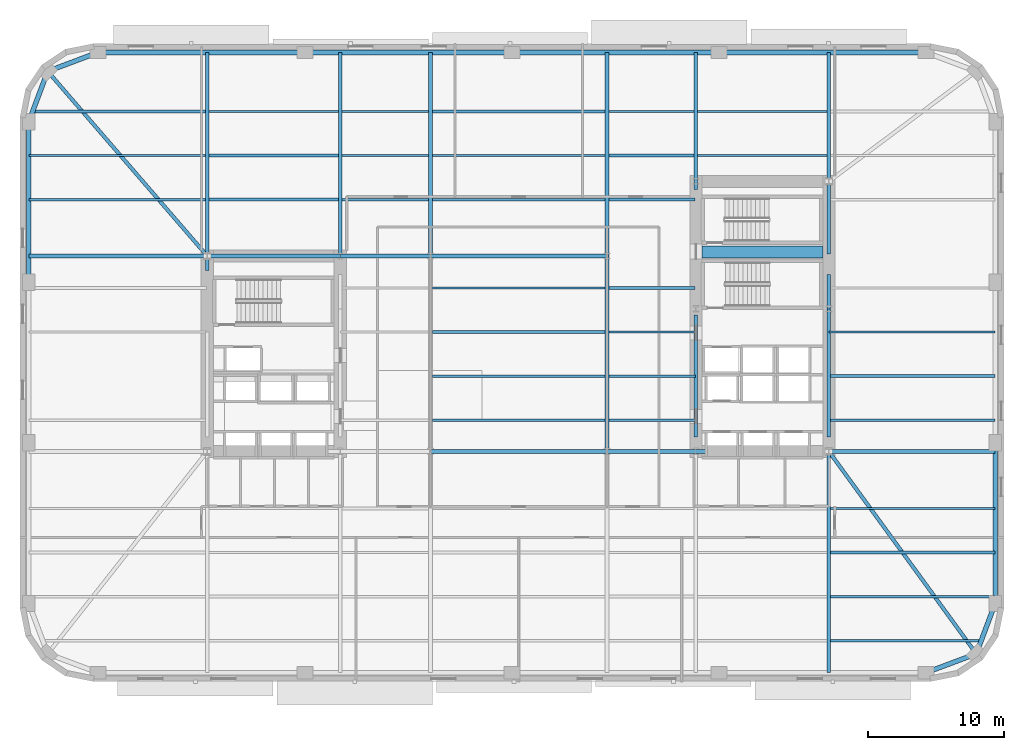
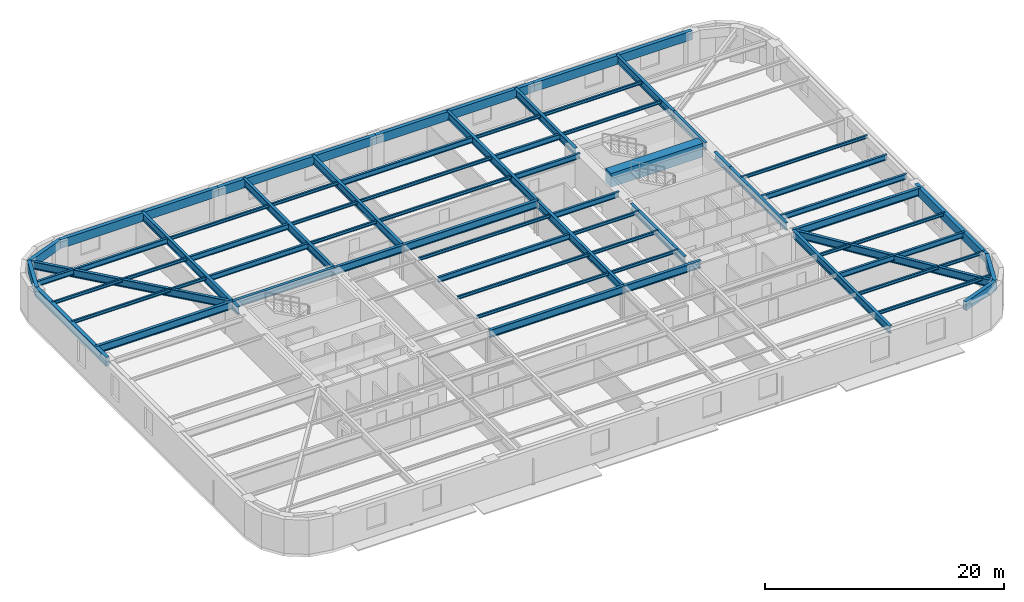
# One storey, part 2 of 15: 64 beams.
"""IFC4 building model written with IfcOpenShell, lengths in metres."""

from ifc_helpers import new_model, si_unit, direction, frame, origin, origin_2d, place, context, subcontext, project, spatial, rectangle, hollow_rectangle, i_section, extrude, material, material_profile, profile_set, type_object, element, save


model = new_model("IFC4")

# Units and contexts
model_context = context("Model", 3, precision=1e-05, world=origin(), true_north=direction((0.0, 1.0)))
body_context = subcontext(model_context, "Body", "Model", "MODEL_VIEW")
ifc_project = project(units=[si_unit("LENGTHUNIT", "METRE"), si_unit("AREAUNIT", "SQUARE_METRE"), si_unit("VOLUMEUNIT", "CUBIC_METRE"), si_unit("PLANEANGLEUNIT", "RADIAN"), si_unit("MASSUNIT", "GRAM", prefix="KILO")], contexts=[model_context])

# Site, building, storey
site_placement = place(None, origin())
site = spatial("IfcSite", under=ifc_project, at=site_placement, CompositionType="ELEMENT")
building_placement = place(site_placement, origin())
building = spatial("IfcBuilding", under=site, at=building_placement, Name="Kolvaren Arena Tower", CompositionType="ELEMENT")
storey_placement = place(building_placement, frame((0.0, 0.0, 64.5)))
storey = spatial("IfcBuildingStorey", under=building, at=storey_placement, Name="L13", CompositionType="ELEMENT", Elevation=64.5)

# Beams
ifc_material_1 = material(Name="Steel CSA G40.21 350W", Category="steel")
ifc_material_profile_1 = material_profile(ifc_material_1, i_section(OverallWidth=0.2119140625, OverallDepth=0.54296875, WebThickness=0.01318359375, FlangeThickness=0.0244140625, FilletRadius=0.013916015625, at=origin_2d()), Name="W530x150")
ifc_profile_set_1 = profile_set([ifc_material_profile_1], Name="Steel CSA G40.21 350W")
beam_type_1 = type_object("IfcBeamType", Name="BEAM-F1", PredefinedType="BEAM", material=ifc_profile_set_1)
beam_1_placement = place(storey_placement, frame((60.485107421875, 12.0, 3.20849609375), z_axis=(1.0, 0.0, 0.0), x_axis=(0.0, 1.0, 0.0)))
element("IfcBeam", 1, at=beam_1_placement, inside=storey, type_object=beam_type_1, Name="Composite Floor Beam (L13)", PredefinedType="BEAM", context=body_context, shape_type="SweptSolid", body=[
    extrude(i_section(OverallWidth=0.2119140625, OverallDepth=0.54296875, WebThickness=0.01318359375, FlangeThickness=0.0244140625, FilletRadius=0.013916015625, at=origin_2d()), origin(), (0.0, 0.0, 1.0), 12.114990234375),
])
for number, where, z_axis, x_axis, name in (
    (2, (60.3701171875, 21.75, 3.20849609375), (1.0, 0.0, 0.0), (0.0, 1.0, 0.0), "Composite Floor Beam (L13)"),
    (3, (60.3701171875, 25.0, 3.20849609375), (1.0, 0.0, 0.0), (0.0, 1.0, 0.0), "Composite Floor Beam (L13)"),
):
    element("IfcBeam", number, at=place(storey_placement, frame(where, z_axis=z_axis, x_axis=x_axis)), inside=storey, type_object=beam_type_1, Name=name, PredefinedType="BEAM", context=body_context, shape_type="SweptSolid", body=[
        extrude(i_section(OverallWidth=0.2119140625, OverallDepth=0.54296875, WebThickness=0.01318359375, FlangeThickness=0.0244140625, FilletRadius=0.013916015625, at=origin_2d()), origin(), (0.0, 0.0, 1.0), 12.22998046875),
    ])
beam_2_placement = place(storey_placement, frame((31.135009765625, 28.25, 3.20849609375), z_axis=(1.0, 0.0, 0.0), x_axis=(0.0, 1.0, 0.0)))
element("IfcBeam", 4, at=beam_2_placement, inside=storey, type_object=beam_type_1, Name="Composite Floor Beam (L13)", PredefinedType="BEAM", context=body_context, shape_type="SweptSolid", body=[
    extrude(i_section(OverallWidth=0.2119140625, OverallDepth=0.54296875, WebThickness=0.01318359375, FlangeThickness=0.0244140625, FilletRadius=0.013916015625, at=origin_2d()), origin(), (0.0, 0.0, 1.0), 12.72998046875),
])
beam_3_placement = place(storey_placement, frame((44.135009765625, 31.5, 3.20849609375), z_axis=(1.0, 0.0, 0.0), x_axis=(0.0, 1.0, 0.0)))
element("IfcBeam", 5, at=beam_3_placement, inside=storey, type_object=beam_type_1, Name="Composite Floor Beam (L13)", PredefinedType="BEAM", context=body_context, shape_type="SweptSolid", body=[
    extrude(i_section(OverallWidth=0.2119140625, OverallDepth=0.54296875, WebThickness=0.01318359375, FlangeThickness=0.0244140625, FilletRadius=0.013916015625, at=origin_2d()), origin(), (0.0, 0.0, 1.0), 6.344970703125),
])
beam_4_placement = place(storey_placement, frame((14.68505859375, 38.0, 3.20849609375), z_axis=(1.0, 0.0, 0.0), x_axis=(0.0, 1.0, 0.0)))
element("IfcBeam", 6, at=beam_4_placement, inside=storey, type_object=beam_type_1, Name="Composite Floor Beam (L13)", PredefinedType="BEAM", context=body_context, shape_type="SweptSolid", body=[
    extrude(i_section(OverallWidth=0.2119140625, OverallDepth=0.54296875, WebThickness=0.01318359375, FlangeThickness=0.0244140625, FilletRadius=0.013916015625, at=origin_2d()), origin(), (0.0, 0.0, 1.0), 9.530029296875),
])
beam_5_placement = place(storey_placement, frame((44.135009765625, 38.0, 3.20849609375), z_axis=(1.0, 0.0, 0.0), x_axis=(0.0, 1.0, 0.0)))
element("IfcBeam", 7, at=beam_5_placement, inside=storey, type_object=beam_type_1, Name="Composite Floor Beam (L13)", PredefinedType="BEAM", context=body_context, shape_type="SweptSolid", body=[
    extrude(i_section(OverallWidth=0.2119140625, OverallDepth=0.54296875, WebThickness=0.01318359375, FlangeThickness=0.0244140625, FilletRadius=0.013916015625, at=origin_2d()), origin(), (0.0, 0.0, 1.0), 6.344970703125),
])
beam_6_placement = place(storey_placement, frame((14.68505859375, 41.25, 3.20849609375), z_axis=(1.0, 0.0, 0.0), x_axis=(0.0, 1.0, 0.0)))
element("IfcBeam", 8, at=beam_6_placement, inside=storey, type_object=beam_type_1, Name="Composite Floor Beam (L13)", PredefinedType="BEAM", context=body_context, shape_type="SweptSolid", body=[
    extrude(i_section(OverallWidth=0.2119140625, OverallDepth=0.54296875, WebThickness=0.01318359375, FlangeThickness=0.0244140625, FilletRadius=0.013916015625, at=origin_2d()), origin(), (0.0, 0.0, 1.0), 9.530029296875),
])
beam_7_placement = place(storey_placement, frame((44.135009765625, 41.25, 3.20849609375), z_axis=(1.0, 0.0, 0.0), x_axis=(0.0, 1.0, 0.0)))
element("IfcBeam", 9, at=beam_7_placement, inside=storey, type_object=beam_type_1, Name="Composite Floor Beam (L13)", PredefinedType="BEAM", context=body_context, shape_type="SweptSolid", body=[
    extrude(i_section(OverallWidth=0.2119140625, OverallDepth=0.54296875, WebThickness=0.01318359375, FlangeThickness=0.0244140625, FilletRadius=0.013916015625, at=origin_2d()), origin(), (0.0, 0.0, 1.0), 6.280029296875),
])
beam_8_placement = place(storey_placement, frame((1.681396484375, 44.5, 3.20849609375), z_axis=(1.0, 0.0, 0.0), x_axis=(0.0, 1.0, 0.0)))
element("IfcBeam", 10, at=beam_8_placement, inside=storey, type_object=beam_type_1, Name="Composite Floor Beam (L13)", PredefinedType="BEAM", context=body_context, shape_type="SweptSolid", body=[
    extrude(i_section(OverallWidth=0.2119140625, OverallDepth=0.54296875, WebThickness=0.01318359375, FlangeThickness=0.0244140625, FilletRadius=0.013916015625, at=origin_2d()), origin(), (0.0, 0.0, 1.0), 12.733642578125),
])
beam_9_placement = place(storey_placement, frame((31.135009765625, 44.5, 3.20849609375), z_axis=(1.0, 0.0, 0.0), x_axis=(0.0, 1.0, 0.0)))
element("IfcBeam", 11, at=beam_9_placement, inside=storey, type_object=beam_type_1, Name="Composite Floor Beam (L13)", PredefinedType="BEAM", context=body_context, shape_type="SweptSolid", body=[
    extrude(i_section(OverallWidth=0.2119140625, OverallDepth=0.54296875, WebThickness=0.01318359375, FlangeThickness=0.0244140625, FilletRadius=0.013916015625, at=origin_2d()), origin(), (0.0, 0.0, 1.0), 12.72998046875),
])
ifc_material_2 = material(Name="Concrete 75 MPa", Category="concrete")
ifc_material_profile_2 = material_profile(ifc_material_2, rectangle(XDim=0.89990234375, YDim=1.39990234375, at=origin_2d()), Name="RC-900x1400")
ifc_profile_set_2 = profile_set([ifc_material_profile_2], Name="Concrete 75 MPa")
beam_type_2 = type_object("IfcBeamType", Name="CB-CORE-1", PredefinedType="BEAM", material=ifc_profile_set_2)
beam_10_placement = place(storey_placement, frame((51.0, 34.14990234375, 3.050048828125), z_axis=(1.0, 0.0, 0.0), x_axis=(0.0, 1.0, 0.0)))
element("IfcBeam", 12, at=beam_10_placement, inside=storey, type_object=beam_type_2, Name="East Core Coupling Beam (L13)", PredefinedType="BEAM", context=body_context, shape_type="SweptSolid", body=[
    extrude(rectangle(XDim=0.89990234375, YDim=1.39990234375, at=origin_2d()), origin(), (0.0, 0.0, 1.0), 8.89990234375),
])
ifc_material_profile_3 = material_profile(ifc_material_1, i_section(OverallWidth=0.27001953125, OverallDepth=0.77294921875, WebThickness=0.019287109375, FlangeThickness=0.033447265625, FilletRadius=0.01806640625, at=origin_2d()), Name="W760x257")
ifc_profile_set_3 = profile_set([ifc_material_profile_3], Name="Steel CSA G40.21 350W")
beam_type_3 = type_object("IfcBeamType", Name="GIRD-T1", PredefinedType="BEAM", material=ifc_profile_set_3)
beam_11_placement = place(storey_placement, frame((71.208740234375, 4.541259765625, 3.093505859375), z_axis=(-0.588737448901, 0.80832432616, 0.0), x_axis=(-0.80832432616, -0.588737448901, 0.0)))
element("IfcBeam", 13, at=beam_11_placement, inside=storey, type_object=beam_type_3, Name="Corner Diagonal Tie Girder (L13)", PredefinedType="BEAM", context=body_context, shape_type="SweptSolid", body=[
    extrude(i_section(OverallWidth=0.27001953125, OverallDepth=0.77294921875, WebThickness=0.019287109375, FlangeThickness=0.033447265625, FilletRadius=0.01806640625, at=origin_2d()), origin(), (0.0, 0.0, 1.0), 18.44384765625),
])
beam_12_placement = place(storey_placement, frame((2.791259765625, 47.458740234375, 3.093505859375), z_axis=(0.653806810332, -0.756661519283, 0.0), x_axis=(0.756661519283, 0.653806810332, 0.0)))
element("IfcBeam", 14, at=beam_12_placement, inside=storey, type_object=beam_type_3, Name="Corner Diagonal Tie Girder (L13)", PredefinedType="BEAM", context=body_context, shape_type="SweptSolid", body=[
    extrude(i_section(OverallWidth=0.27001953125, OverallDepth=0.77294921875, WebThickness=0.019287109375, FlangeThickness=0.033447265625, FilletRadius=0.01806640625, at=origin_2d()), origin(), (0.0, 0.0, 1.0), 17.985107421875),
])
beam_13_placement = place(storey_placement, frame((31.0, 19.449951171875, 3.093505859375), z_axis=(1.0, 0.0, 0.0), x_axis=(0.0, 1.0, 0.0)))
element("IfcBeam", 15, at=beam_13_placement, inside=storey, type_object=beam_type_3, Name="Primary Floor Girder (L13)", PredefinedType="BEAM", context=body_context, shape_type="SweptSolid", body=[
    extrude(i_section(OverallWidth=0.27001953125, OverallDepth=0.77294921875, WebThickness=0.019287109375, FlangeThickness=0.033447265625, FilletRadius=0.01806640625, at=origin_2d()), origin(), (0.0, 0.0, 1.0), 13.0),
])
beam_14_placement = place(storey_placement, frame((44.0, 19.449951171875, 3.093505859375), z_axis=(1.0, 0.0, 0.0), x_axis=(0.0, 1.0, 0.0)))
element("IfcBeam", 16, at=beam_14_placement, inside=storey, type_object=beam_type_3, Name="Primary Floor Girder (L13)", PredefinedType="BEAM", context=body_context, shape_type="SweptSolid", body=[
    extrude(i_section(OverallWidth=0.27001953125, OverallDepth=0.77294921875, WebThickness=0.019287109375, FlangeThickness=0.033447265625, FilletRadius=0.01806640625, at=origin_2d()), origin(), (0.0, 0.0, 1.0), 7.4150390625),
])
beam_15_placement = place(storey_placement, frame((60.35009765625, 19.449951171875, 3.093505859375), z_axis=(1.0, 0.0, 0.0), x_axis=(0.0, 1.0, 0.0)))
element("IfcBeam", 17, at=beam_15_placement, inside=storey, type_object=beam_type_3, Name="Primary Floor Girder (L13)", PredefinedType="BEAM", context=body_context, shape_type="SweptSolid", body=[
    extrude(i_section(OverallWidth=0.27001953125, OverallDepth=0.77294921875, WebThickness=0.019287109375, FlangeThickness=0.033447265625, FilletRadius=0.01806640625, at=origin_2d()), origin(), (0.0, 0.0, 1.0), 12.25),
])
beam_16_placement = place(storey_placement, frame((1.39990234375, 33.85009765625, 3.093505859375), z_axis=(1.0, 0.0, 0.0), x_axis=(0.0, 1.0, 0.0)))
element("IfcBeam", 18, at=beam_16_placement, inside=storey, type_object=beam_type_3, Name="Primary Floor Girder (L13)", PredefinedType="BEAM", context=body_context, shape_type="SweptSolid", body=[
    extrude(i_section(OverallWidth=0.27001953125, OverallDepth=0.77294921875, WebThickness=0.019287109375, FlangeThickness=0.033447265625, FilletRadius=0.01806640625, at=origin_2d()), origin(), (0.0, 0.0, 1.0), 13.150146484375),
])
beam_17_placement = place(storey_placement, frame((14.550048828125, 33.85009765625, 3.093505859375), z_axis=(1.0, 0.0, 0.0), x_axis=(0.0, 1.0, 0.0)))
element("IfcBeam", 19, at=beam_17_placement, inside=storey, type_object=beam_type_3, Name="Primary Floor Girder (L13)", PredefinedType="BEAM", context=body_context, shape_type="SweptSolid", body=[
    extrude(i_section(OverallWidth=0.27001953125, OverallDepth=0.77294921875, WebThickness=0.019287109375, FlangeThickness=0.033447265625, FilletRadius=0.01806640625, at=origin_2d()), origin(), (0.0, 0.0, 1.0), 9.800048828125),
])
beam_18_placement = place(storey_placement, frame((24.35009765625, 33.85009765625, 3.093505859375), z_axis=(1.0, 0.0, 0.0), x_axis=(0.0, 1.0, 0.0)))
element("IfcBeam", 20, at=beam_18_placement, inside=storey, type_object=beam_type_3, Name="Primary Floor Girder (L13)", PredefinedType="BEAM", context=body_context, shape_type="SweptSolid", body=[
    extrude(i_section(OverallWidth=0.27001953125, OverallDepth=0.77294921875, WebThickness=0.019287109375, FlangeThickness=0.033447265625, FilletRadius=0.01806640625, at=origin_2d()), origin(), (0.0, 0.0, 1.0), 6.64990234375),
])
beam_19_placement = place(storey_placement, frame((31.0, 33.85009765625, 3.093505859375), z_axis=(1.0, 0.0, 0.0), x_axis=(0.0, 1.0, 0.0)))
element("IfcBeam", 21, at=beam_19_placement, inside=storey, type_object=beam_type_3, Name="Primary Floor Girder (L13)", PredefinedType="BEAM", context=body_context, shape_type="SweptSolid", body=[
    extrude(i_section(OverallWidth=0.27001953125, OverallDepth=0.77294921875, WebThickness=0.019287109375, FlangeThickness=0.033447265625, FilletRadius=0.01806640625, at=origin_2d()), origin(), (0.0, 0.0, 1.0), 13.0),
])
beam_20_placement = place(storey_placement, frame((14.550048828125, 32.7900390625, 3.093505859375), z_axis=(0.0, 1.0, 0.0), x_axis=(-1.0, 0.0, 0.0)))
element("IfcBeam", 22, at=beam_20_placement, inside=storey, type_object=beam_type_3, Name="Primary Floor Girder (L13)", PredefinedType="BEAM", context=body_context, shape_type="SweptSolid", body=[
    extrude(i_section(OverallWidth=0.27001953125, OverallDepth=0.77294921875, WebThickness=0.019287109375, FlangeThickness=0.033447265625, FilletRadius=0.01806640625, at=origin_2d()), origin(), (0.0, 0.0, 1.0), 16.06005859375),
])
for number, where, z_axis, x_axis, name in (
    (23, (24.35009765625, 33.85009765625, 3.093505859375), (0.0, 1.0, 0.0), (-1.0, 0.0, 0.0), "Primary Floor Girder (L13)"),
    (24, (31.0, 33.85009765625, 3.093505859375), (0.0, 1.0, 0.0), (-1.0, 0.0, 0.0), "Primary Floor Girder (L13)"),
):
    element("IfcBeam", number, at=place(storey_placement, frame(where, z_axis=z_axis, x_axis=x_axis)), inside=storey, type_object=beam_type_3, Name=name, PredefinedType="BEAM", context=body_context, shape_type="SweptSolid", body=[
        extrude(i_section(OverallWidth=0.27001953125, OverallDepth=0.77294921875, WebThickness=0.019287109375, FlangeThickness=0.033447265625, FilletRadius=0.01806640625, at=origin_2d()), origin(), (0.0, 0.0, 1.0), 15.0),
    ])
beam_21_placement = place(storey_placement, frame((44.0, 19.449951171875, 3.093505859375), z_axis=(0.0, 1.0, 0.0), x_axis=(-1.0, 0.0, 0.0)))
element("IfcBeam", 25, at=beam_21_placement, inside=storey, type_object=beam_type_3, Name="Primary Floor Girder (L13)", PredefinedType="BEAM", context=body_context, shape_type="SweptSolid", body=[
    extrude(i_section(OverallWidth=0.27001953125, OverallDepth=0.77294921875, WebThickness=0.019287109375, FlangeThickness=0.033447265625, FilletRadius=0.01806640625, at=origin_2d()), origin(), (0.0, 0.0, 1.0), 14.400146484375),
])
beam_22_placement = place(storey_placement, frame((44.0, 33.85009765625, 3.093505859375), z_axis=(0.0, 1.0, 0.0), x_axis=(-1.0, 0.0, 0.0)))
element("IfcBeam", 26, at=beam_22_placement, inside=storey, type_object=beam_type_3, Name="Primary Floor Girder (L13)", PredefinedType="BEAM", context=body_context, shape_type="SweptSolid", body=[
    extrude(i_section(OverallWidth=0.27001953125, OverallDepth=0.77294921875, WebThickness=0.019287109375, FlangeThickness=0.033447265625, FilletRadius=0.01806640625, at=origin_2d()), origin(), (0.0, 0.0, 1.0), 15.0),
])
beam_23_placement = place(storey_placement, frame((50.550048828125, 20.5, 3.093505859375), z_axis=(0.0, 1.0, 0.0), x_axis=(-1.0, 0.0, 0.0)))
element("IfcBeam", 27, at=beam_23_placement, inside=storey, type_object=beam_type_3, Name="Primary Floor Girder (L13)", PredefinedType="BEAM", context=body_context, shape_type="SweptSolid", body=[
    extrude(i_section(OverallWidth=0.27001953125, OverallDepth=0.77294921875, WebThickness=0.019287109375, FlangeThickness=0.033447265625, FilletRadius=0.01806640625, at=origin_2d()), origin(), (0.0, 0.0, 1.0), 8.989990234375),
])
beam_24_placement = place(storey_placement, frame((50.550048828125, 38.760009765625, 3.093505859375), z_axis=(0.0, 1.0, 0.0), x_axis=(-1.0, 0.0, 0.0)))
element("IfcBeam", 28, at=beam_24_placement, inside=storey, type_object=beam_type_3, Name="Primary Floor Girder (L13)", PredefinedType="BEAM", context=body_context, shape_type="SweptSolid", body=[
    extrude(i_section(OverallWidth=0.27001953125, OverallDepth=0.77294921875, WebThickness=0.019287109375, FlangeThickness=0.033447265625, FilletRadius=0.01806640625, at=origin_2d()), origin(), (0.0, 0.0, 1.0), 10.090087890625),
])
beam_25_placement = place(storey_placement, frame((60.35009765625, 3.14990234375, 3.093505859375), z_axis=(0.0, 1.0, 0.0), x_axis=(-1.0, 0.0, 0.0)))
element("IfcBeam", 29, at=beam_25_placement, inside=storey, type_object=beam_type_3, Name="Primary Floor Girder (L13)", PredefinedType="BEAM", context=body_context, shape_type="SweptSolid", body=[
    extrude(i_section(OverallWidth=0.27001953125, OverallDepth=0.77294921875, WebThickness=0.019287109375, FlangeThickness=0.033447265625, FilletRadius=0.01806640625, at=origin_2d()), origin(), (0.0, 0.0, 1.0), 16.300048828125),
])
beam_26_placement = place(storey_placement, frame((60.35009765625, 20.5, 3.093505859375), z_axis=(0.0, 1.0, 0.0), x_axis=(-1.0, 0.0, 0.0)))
element("IfcBeam", 30, at=beam_26_placement, inside=storey, type_object=beam_type_3, Name="Primary Floor Girder (L13)", PredefinedType="BEAM", context=body_context, shape_type="SweptSolid", body=[
    extrude(i_section(OverallWidth=0.27001953125, OverallDepth=0.77294921875, WebThickness=0.019287109375, FlangeThickness=0.033447265625, FilletRadius=0.01806640625, at=origin_2d()), origin(), (0.0, 0.0, 1.0), 9.449951171875),
])
beam_27_placement = place(storey_placement, frame((60.35009765625, 29.949951171875, 3.093505859375), z_axis=(0.0, 1.0, 0.0), x_axis=(-1.0, 0.0, 0.0)))
element("IfcBeam", 31, at=beam_27_placement, inside=storey, type_object=beam_type_3, Name="Primary Floor Girder (L13)", PredefinedType="BEAM", context=body_context, shape_type="SweptSolid", body=[
    extrude(i_section(OverallWidth=0.27001953125, OverallDepth=0.77294921875, WebThickness=0.019287109375, FlangeThickness=0.033447265625, FilletRadius=0.01806640625, at=origin_2d()), origin(), (0.0, 0.0, 1.0), 2.550048828125),
])
beam_28_placement = place(storey_placement, frame((60.35009765625, 33.985107421875, 3.093505859375), z_axis=(0.0, 1.0, 0.0), x_axis=(-1.0, 0.0, 0.0)))
element("IfcBeam", 32, at=beam_28_placement, inside=storey, type_object=beam_type_3, Name="Primary Floor Girder (L13)", PredefinedType="BEAM", context=body_context, shape_type="SweptSolid", body=[
    extrude(i_section(OverallWidth=0.27001953125, OverallDepth=0.77294921875, WebThickness=0.019287109375, FlangeThickness=0.033447265625, FilletRadius=0.01806640625, at=origin_2d()), origin(), (0.0, 0.0, 1.0), 5.364990234375),
])
beam_29_placement = place(storey_placement, frame((60.35009765625, 39.35009765625, 3.093505859375), z_axis=(0.0, 1.0, 0.0), x_axis=(-1.0, 0.0, 0.0)))
element("IfcBeam", 33, at=beam_29_placement, inside=storey, type_object=beam_type_3, Name="Primary Floor Girder (L13)", PredefinedType="BEAM", context=body_context, shape_type="SweptSolid", body=[
    extrude(i_section(OverallWidth=0.27001953125, OverallDepth=0.77294921875, WebThickness=0.019287109375, FlangeThickness=0.033447265625, FilletRadius=0.01806640625, at=origin_2d()), origin(), (0.0, 0.0, 1.0), 9.5),
])
ifc_material_profile_4 = material_profile(ifc_material_1, i_section(OverallWidth=0.1669921875, OverallDepth=0.31689453125, WebThickness=0.007568359375, FlangeThickness=0.01318359375, FilletRadius=0.010009765625, at=origin_2d()), Name="W310x52")
ifc_profile_set_4 = profile_set([ifc_material_profile_4], Name="Steel CSA G40.21 350W")
beam_type_4 = type_object("IfcBeamType", Name="JOIST-02", PredefinedType="JOIST", material=ifc_profile_set_4)
beam_30_placement = place(storey_placement, frame((60.485107421875, 5.5, 3.321533203125), z_axis=(1.0, 0.0, 0.0), x_axis=(0.0, 1.0, 0.0)))
element("IfcBeam", 34, at=beam_30_placement, inside=storey, type_object=beam_type_4, Name="Composite Floor Joist (L13)", PredefinedType="JOIST", context=body_context, shape_type="SweptSolid", body=[
    extrude(i_section(OverallWidth=0.1669921875, OverallDepth=0.31689453125, WebThickness=0.007568359375, FlangeThickness=0.01318359375, FilletRadius=0.010009765625, at=origin_2d()), origin(), (0.0, 0.0, 1.0), 11.08349609375),
])
for number, where, z_axis, x_axis, name in (
    (35, (60.485107421875, 8.75, 3.321533203125), (1.0, 0.0, 0.0), (0.0, 1.0, 0.0), "Composite Floor Joist (L13)"),
    (36, (60.485107421875, 15.25, 3.321533203125), (1.0, 0.0, 0.0), (0.0, 1.0, 0.0), "Composite Floor Joist (L13)"),
):
    element("IfcBeam", number, at=place(storey_placement, frame(where, z_axis=z_axis, x_axis=x_axis)), inside=storey, type_object=beam_type_4, Name=name, PredefinedType="JOIST", context=body_context, shape_type="SweptSolid", body=[
        extrude(i_section(OverallWidth=0.1669921875, OverallDepth=0.31689453125, WebThickness=0.007568359375, FlangeThickness=0.01318359375, FilletRadius=0.010009765625, at=origin_2d()), origin(), (0.0, 0.0, 1.0), 12.114990234375),
    ])
beam_31_placement = place(storey_placement, frame((31.135009765625, 21.75, 3.321533203125), z_axis=(1.0, 0.0, 0.0), x_axis=(0.0, 1.0, 0.0)))
element("IfcBeam", 37, at=beam_31_placement, inside=storey, type_object=beam_type_4, Name="Composite Floor Joist (L13)", PredefinedType="JOIST", context=body_context, shape_type="SweptSolid", body=[
    extrude(i_section(OverallWidth=0.1669921875, OverallDepth=0.31689453125, WebThickness=0.007568359375, FlangeThickness=0.01318359375, FilletRadius=0.010009765625, at=origin_2d()), origin(), (0.0, 0.0, 1.0), 12.72998046875),
])
beam_32_placement = place(storey_placement, frame((44.135009765625, 21.75, 3.321533203125), z_axis=(1.0, 0.0, 0.0), x_axis=(0.0, 1.0, 0.0)))
element("IfcBeam", 38, at=beam_32_placement, inside=storey, type_object=beam_type_4, Name="Composite Floor Joist (L13)", PredefinedType="JOIST", context=body_context, shape_type="SweptSolid", body=[
    extrude(i_section(OverallWidth=0.1669921875, OverallDepth=0.31689453125, WebThickness=0.007568359375, FlangeThickness=0.01318359375, FilletRadius=0.010009765625, at=origin_2d()), origin(), (0.0, 0.0, 1.0), 6.39501953125),
])
beam_33_placement = place(storey_placement, frame((31.135009765625, 25.0, 3.321533203125), z_axis=(1.0, 0.0, 0.0), x_axis=(0.0, 1.0, 0.0)))
element("IfcBeam", 39, at=beam_33_placement, inside=storey, type_object=beam_type_4, Name="Composite Floor Joist (L13)", PredefinedType="JOIST", context=body_context, shape_type="SweptSolid", body=[
    extrude(i_section(OverallWidth=0.1669921875, OverallDepth=0.31689453125, WebThickness=0.007568359375, FlangeThickness=0.01318359375, FilletRadius=0.010009765625, at=origin_2d()), origin(), (0.0, 0.0, 1.0), 12.72998046875),
])
for number, where, z_axis, x_axis, name in (
    (40, (44.135009765625, 25.0, 3.321533203125), (1.0, 0.0, 0.0), (0.0, 1.0, 0.0), "Composite Floor Joist (L13)"),
    (41, (44.135009765625, 28.25, 3.321533203125), (1.0, 0.0, 0.0), (0.0, 1.0, 0.0), "Composite Floor Joist (L13)"),
):
    element("IfcBeam", number, at=place(storey_placement, frame(where, z_axis=z_axis, x_axis=x_axis)), inside=storey, type_object=beam_type_4, Name=name, PredefinedType="JOIST", context=body_context, shape_type="SweptSolid", body=[
        extrude(i_section(OverallWidth=0.1669921875, OverallDepth=0.31689453125, WebThickness=0.007568359375, FlangeThickness=0.01318359375, FilletRadius=0.010009765625, at=origin_2d()), origin(), (0.0, 0.0, 1.0), 6.39501953125),
    ])
beam_34_placement = place(storey_placement, frame((60.3701171875, 28.25, 3.321533203125), z_axis=(1.0, 0.0, 0.0), x_axis=(0.0, 1.0, 0.0)))
element("IfcBeam", 42, at=beam_34_placement, inside=storey, type_object=beam_type_4, Name="Composite Floor Joist (L13)", PredefinedType="JOIST", context=body_context, shape_type="SweptSolid", body=[
    extrude(i_section(OverallWidth=0.1669921875, OverallDepth=0.31689453125, WebThickness=0.007568359375, FlangeThickness=0.01318359375, FilletRadius=0.010009765625, at=origin_2d()), origin(), (0.0, 0.0, 1.0), 12.22998046875),
])
beam_35_placement = place(storey_placement, frame((31.135009765625, 31.5, 3.321533203125), z_axis=(1.0, 0.0, 0.0), x_axis=(0.0, 1.0, 0.0)))
element("IfcBeam", 43, at=beam_35_placement, inside=storey, type_object=beam_type_4, Name="Composite Floor Joist (L13)", PredefinedType="JOIST", context=body_context, shape_type="SweptSolid", body=[
    extrude(i_section(OverallWidth=0.1669921875, OverallDepth=0.31689453125, WebThickness=0.007568359375, FlangeThickness=0.01318359375, FilletRadius=0.010009765625, at=origin_2d()), origin(), (0.0, 0.0, 1.0), 12.72998046875),
])
beam_36_placement = place(storey_placement, frame((1.39990234375, 38.0, 3.321533203125), z_axis=(1.0, 0.0, 0.0), x_axis=(0.0, 1.0, 0.0)))
element("IfcBeam", 44, at=beam_36_placement, inside=storey, type_object=beam_type_4, Name="Composite Floor Joist (L13)", PredefinedType="JOIST", context=body_context, shape_type="SweptSolid", body=[
    extrude(i_section(OverallWidth=0.1669921875, OverallDepth=0.31689453125, WebThickness=0.007568359375, FlangeThickness=0.01318359375, FilletRadius=0.010009765625, at=origin_2d()), origin(), (0.0, 0.0, 1.0), 13.01513671875),
])
beam_37_placement = place(storey_placement, frame((24.485107421875, 38.0, 3.321533203125), z_axis=(1.0, 0.0, 0.0), x_axis=(0.0, 1.0, 0.0)))
element("IfcBeam", 45, at=beam_37_placement, inside=storey, type_object=beam_type_4, Name="Composite Floor Joist (L13)", PredefinedType="JOIST", context=body_context, shape_type="SweptSolid", body=[
    extrude(i_section(OverallWidth=0.1669921875, OverallDepth=0.31689453125, WebThickness=0.007568359375, FlangeThickness=0.01318359375, FilletRadius=0.010009765625, at=origin_2d()), origin(), (0.0, 0.0, 1.0), 6.3798828125),
])
beam_38_placement = place(storey_placement, frame((31.135009765625, 38.0, 3.321533203125), z_axis=(1.0, 0.0, 0.0), x_axis=(0.0, 1.0, 0.0)))
element("IfcBeam", 46, at=beam_38_placement, inside=storey, type_object=beam_type_4, Name="Composite Floor Joist (L13)", PredefinedType="JOIST", context=body_context, shape_type="SweptSolid", body=[
    extrude(i_section(OverallWidth=0.1669921875, OverallDepth=0.31689453125, WebThickness=0.007568359375, FlangeThickness=0.01318359375, FilletRadius=0.010009765625, at=origin_2d()), origin(), (0.0, 0.0, 1.0), 12.72998046875),
])
beam_39_placement = place(storey_placement, frame((1.39990234375, 41.25, 3.321533203125), z_axis=(1.0, 0.0, 0.0), x_axis=(0.0, 1.0, 0.0)))
element("IfcBeam", 47, at=beam_39_placement, inside=storey, type_object=beam_type_4, Name="Composite Floor Joist (L13)", PredefinedType="JOIST", context=body_context, shape_type="SweptSolid", body=[
    extrude(i_section(OverallWidth=0.1669921875, OverallDepth=0.31689453125, WebThickness=0.007568359375, FlangeThickness=0.01318359375, FilletRadius=0.010009765625, at=origin_2d()), origin(), (0.0, 0.0, 1.0), 13.01513671875),
])
beam_40_placement = place(storey_placement, frame((24.485107421875, 41.25, 3.321533203125), z_axis=(1.0, 0.0, 0.0), x_axis=(0.0, 1.0, 0.0)))
element("IfcBeam", 48, at=beam_40_placement, inside=storey, type_object=beam_type_4, Name="Composite Floor Joist (L13)", PredefinedType="JOIST", context=body_context, shape_type="SweptSolid", body=[
    extrude(i_section(OverallWidth=0.1669921875, OverallDepth=0.31689453125, WebThickness=0.007568359375, FlangeThickness=0.01318359375, FilletRadius=0.010009765625, at=origin_2d()), origin(), (0.0, 0.0, 1.0), 6.3798828125),
])
beam_41_placement = place(storey_placement, frame((31.135009765625, 41.25, 3.321533203125), z_axis=(1.0, 0.0, 0.0), x_axis=(0.0, 1.0, 0.0)))
element("IfcBeam", 49, at=beam_41_placement, inside=storey, type_object=beam_type_4, Name="Composite Floor Joist (L13)", PredefinedType="JOIST", context=body_context, shape_type="SweptSolid", body=[
    extrude(i_section(OverallWidth=0.1669921875, OverallDepth=0.31689453125, WebThickness=0.007568359375, FlangeThickness=0.01318359375, FilletRadius=0.010009765625, at=origin_2d()), origin(), (0.0, 0.0, 1.0), 12.72998046875),
])
for number, where, z_axis, x_axis, name in (
    (50, (50.68505859375, 41.25, 3.321533203125), (1.0, 0.0, 0.0), (0.0, 1.0, 0.0), "Composite Floor Joist (L13)"),
    (51, (14.68505859375, 44.5, 3.321533203125), (1.0, 0.0, 0.0), (0.0, 1.0, 0.0), "Composite Floor Joist (L13)"),
):
    element("IfcBeam", number, at=place(storey_placement, frame(where, z_axis=z_axis, x_axis=x_axis)), inside=storey, type_object=beam_type_4, Name=name, PredefinedType="JOIST", context=body_context, shape_type="SweptSolid", body=[
        extrude(i_section(OverallWidth=0.1669921875, OverallDepth=0.31689453125, WebThickness=0.007568359375, FlangeThickness=0.01318359375, FilletRadius=0.010009765625, at=origin_2d()), origin(), (0.0, 0.0, 1.0), 9.530029296875),
    ])
beam_42_placement = place(storey_placement, frame((24.485107421875, 44.5, 3.321533203125), z_axis=(1.0, 0.0, 0.0), x_axis=(0.0, 1.0, 0.0)))
element("IfcBeam", 52, at=beam_42_placement, inside=storey, type_object=beam_type_4, Name="Composite Floor Joist (L13)", PredefinedType="JOIST", context=body_context, shape_type="SweptSolid", body=[
    extrude(i_section(OverallWidth=0.1669921875, OverallDepth=0.31689453125, WebThickness=0.007568359375, FlangeThickness=0.01318359375, FilletRadius=0.010009765625, at=origin_2d()), origin(), (0.0, 0.0, 1.0), 6.3798828125),
])
beam_43_placement = place(storey_placement, frame((44.135009765625, 44.5, 3.321533203125), z_axis=(1.0, 0.0, 0.0), x_axis=(0.0, 1.0, 0.0)))
element("IfcBeam", 53, at=beam_43_placement, inside=storey, type_object=beam_type_4, Name="Composite Floor Joist (L13)", PredefinedType="JOIST", context=body_context, shape_type="SweptSolid", body=[
    extrude(i_section(OverallWidth=0.1669921875, OverallDepth=0.31689453125, WebThickness=0.007568359375, FlangeThickness=0.01318359375, FilletRadius=0.010009765625, at=origin_2d()), origin(), (0.0, 0.0, 1.0), 6.280029296875),
])
beam_44_placement = place(storey_placement, frame((50.68505859375, 44.5, 3.321533203125), z_axis=(1.0, 0.0, 0.0), x_axis=(0.0, 1.0, 0.0)))
element("IfcBeam", 54, at=beam_44_placement, inside=storey, type_object=beam_type_4, Name="Composite Floor Joist (L13)", PredefinedType="JOIST", context=body_context, shape_type="SweptSolid", body=[
    extrude(i_section(OverallWidth=0.1669921875, OverallDepth=0.31689453125, WebThickness=0.007568359375, FlangeThickness=0.01318359375, FilletRadius=0.010009765625, at=origin_2d()), origin(), (0.0, 0.0, 1.0), 9.530029296875),
])
ifc_material_3 = material(Name="Steel CSA G40.21 350WT", Category="steel")
ifc_material_profile_5 = material_profile(ifc_material_3, hollow_rectangle(XDim=0.35009765625, YDim=0.89990234375, WallThickness=0.02001953125, at=origin_2d()), Name="HSS 900x350x20")
ifc_profile_set_5 = profile_set([ifc_material_profile_5], Name="Steel CSA G40.21 350WT")
beam_type_5 = type_object("IfcBeamType", Name="SPAND-01", PredefinedType="SPANDREL", material=ifc_profile_set_5)
for number, where, z_axis, x_axis, name in (
    (55, (67.5, 3.14990234375, 3.030029296875), (0.93628104365, 0.351251771955, 0.0), (-0.351251771955, 0.93628104365, 0.0), "Perimeter Spandrel Beam (L13)"),
    (56, (71.208740234375, 4.541259765625, 3.030029296875), (0.351251771955, 0.93628104365, 0.0), (-0.93628104365, 0.351251771955, 0.0), "Perimeter Spandrel Beam (L13)"),
):
    element("IfcBeam", number, at=place(storey_placement, frame(where, z_axis=z_axis, x_axis=x_axis)), inside=storey, type_object=beam_type_5, Name=name, PredefinedType="SPANDREL", context=body_context, shape_type="SweptSolid", body=[
        extrude(hollow_rectangle(XDim=0.35009765625, YDim=0.89990234375, WallThickness=0.02001953125, at=origin_2d()), origin(), (0.0, 0.0, 1.0), 3.961181640625),
    ])
beam_45_placement = place(storey_placement, frame((72.60009765625, 8.25, 3.030029296875), z_axis=(0.0, 1.0, 0.0), x_axis=(-1.0, 0.0, 0.0)))
element("IfcBeam", 57, at=beam_45_placement, inside=storey, type_object=beam_type_5, Name="Perimeter Spandrel Beam (L13)", PredefinedType="SPANDREL", context=body_context, shape_type="SweptSolid", body=[
    extrude(hollow_rectangle(XDim=0.35009765625, YDim=0.89990234375, WallThickness=0.02001953125, at=origin_2d()), origin(), (0.0, 0.0, 1.0), 11.833251953125),
])
for number, where, z_axis, x_axis, name in (
    (58, (67.5, 48.85009765625, 3.030029296875), (-1.0, 0.0, 0.0), (0.0, -1.0, 0.0), "Perimeter Spandrel Beam (L13)"),
    (59, (52.25, 48.85009765625, 3.030029296875), (-1.0, 0.0, 0.0), (0.0, -1.0, 0.0), "Perimeter Spandrel Beam (L13)"),
    (60, (37.0, 48.85009765625, 3.030029296875), (-1.0, 0.0, 0.0), (0.0, -1.0, 0.0), "Perimeter Spandrel Beam (L13)"),
    (61, (21.75, 48.85009765625, 3.030029296875), (-1.0, 0.0, 0.0), (0.0, -1.0, 0.0), "Perimeter Spandrel Beam (L13)"),
):
    element("IfcBeam", number, at=place(storey_placement, frame(where, z_axis=z_axis, x_axis=x_axis)), inside=storey, type_object=beam_type_5, Name=name, PredefinedType="SPANDREL", context=body_context, shape_type="SweptSolid", body=[
        extrude(hollow_rectangle(XDim=0.35009765625, YDim=0.89990234375, WallThickness=0.02001953125, at=origin_2d()), origin(), (0.0, 0.0, 1.0), 15.25),
    ])
for number, where, z_axis, x_axis, name in (
    (62, (6.5, 48.85009765625, 3.030029296875), (-0.93628104365, -0.351251771955, 0.0), (0.351251771955, -0.93628104365, 0.0), "Perimeter Spandrel Beam (L13)"),
    (63, (2.791259765625, 47.458740234375, 3.030029296875), (-0.351251771955, -0.93628104365, 0.0), (0.93628104365, -0.351251771955, 0.0), "Perimeter Spandrel Beam (L13)"),
):
    element("IfcBeam", number, at=place(storey_placement, frame(where, z_axis=z_axis, x_axis=x_axis)), inside=storey, type_object=beam_type_5, Name=name, PredefinedType="SPANDREL", context=body_context, shape_type="SweptSolid", body=[
        extrude(hollow_rectangle(XDim=0.35009765625, YDim=0.89990234375, WallThickness=0.02001953125, at=origin_2d()), origin(), (0.0, 0.0, 1.0), 3.961181640625),
    ])
beam_46_placement = place(storey_placement, frame((1.39990234375, 43.75, 3.030029296875), z_axis=(0.0, -1.0, 0.0), x_axis=(1.0, 0.0, 0.0)))
element("IfcBeam", 64, at=beam_46_placement, inside=storey, type_object=beam_type_5, Name="Perimeter Spandrel Beam (L13)", PredefinedType="SPANDREL", context=body_context, shape_type="SweptSolid", body=[
    extrude(hollow_rectangle(XDim=0.35009765625, YDim=0.89990234375, WallThickness=0.02001953125, at=origin_2d()), origin(), (0.0, 0.0, 1.0), 11.833251953125),
])

save(model, "model.ifc")
